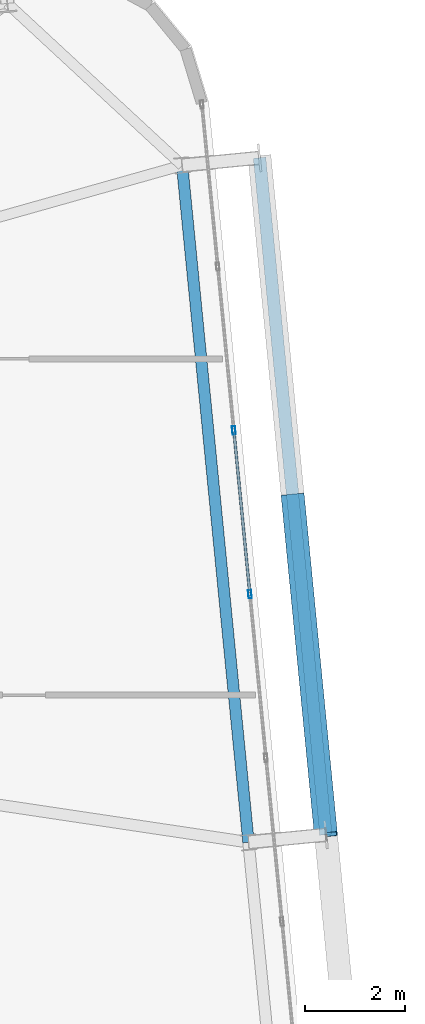
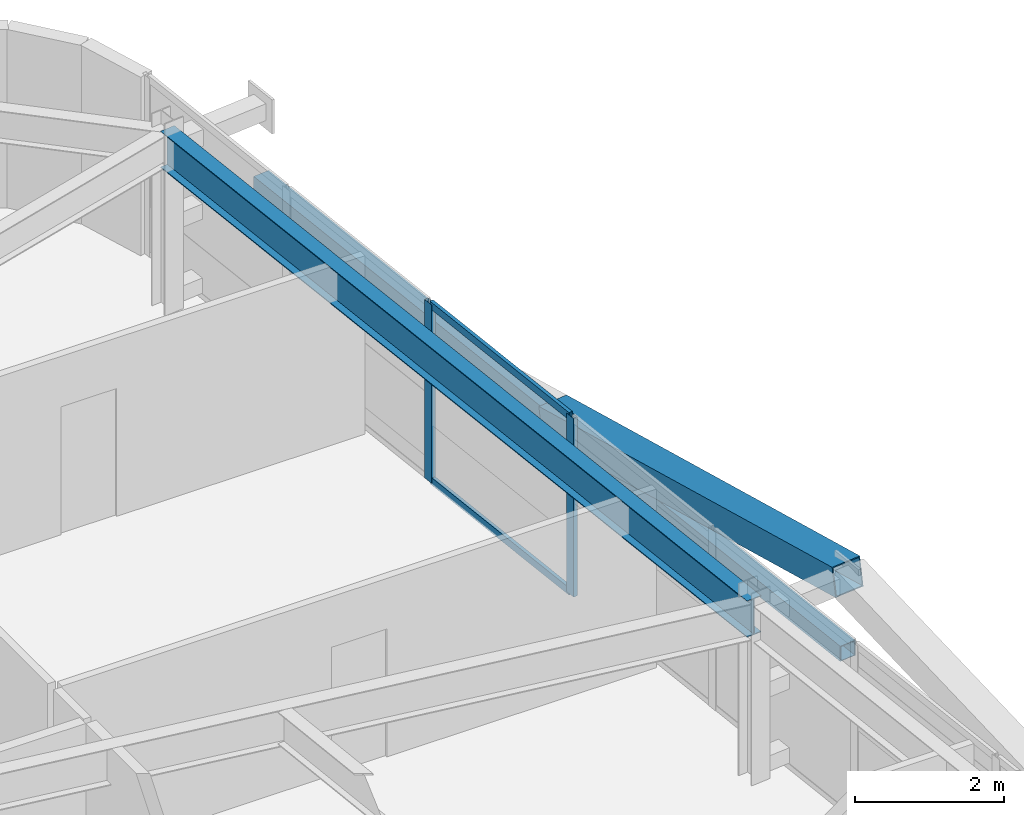
# One storey, part 26 of 52: 6 members, 1 beam, 1 element without a shape of its own.
"""IFC4 building model written with IfcOpenShell, lengths in metres."""

import ifcopenshell
import ifcopenshell.guid

model = None  # the IFC model being written
_history = None  # IfcOwnerHistory: only IFC2X3 demands one
_inside = {}  # id of a spatial element -> (the spatial element, [elements in it])
_under = {}  # id of a project, library or spatial element -> (it, [spatial elements below it])
_declared = {}  # id of a project -> (the project, [libraries it declares])
_typed = {}  # id of a type object -> (the type object, [elements of that type])
_made_of = {}  # id of a material, layer set ... -> (it, [elements and type objects made of it])


def new_model(schema):
    """Start an empty IFC model of exactly this schema.

    Asked for "IFC4X3", IfcOpenShell would pick the latest addendum, in which some entities
    have other attributes; the version numbers below select the first issue.
    IFC2X3 requires an IfcOwnerHistory on every rooted entity: one is made here for all.
    """
    global model, _history
    if schema == "IFC4X3":
        model = ifcopenshell.file(schema_version=(4, 3, 0, 0))
    else:
        model = ifcopenshell.file(schema=schema)
    _inside.clear()
    _under.clear()
    _declared.clear()
    _typed.clear()
    _made_of.clear()
    _history = None
    if model.schema == "IFC2X3":
        org = make("IfcOrganization", Name="unknown")
        user = make(
            "IfcPersonAndOrganization",
            ThePerson=make("IfcPerson", FamilyName="unknown"),
            TheOrganization=org,
        )
        app = make(
            "IfcApplication",
            ApplicationDeveloper=org,
            Version="unknown",
            ApplicationFullName="unknown",
            ApplicationIdentifier="unknown",
        )
        _history = make(
            "IfcOwnerHistory",
            OwningUser=user,
            OwningApplication=app,
            ChangeAction="ADDED",
            CreationDate=0,
        )
    return model


def make(cls, **values):
    """One entity of the class cls with the attributes given. An attribute that is None is left unset."""
    return model.create_entity(
        cls, **{name: value for name, value in values.items() if value is not None}
    )


def rooted(cls, **values):
    """An entity with a GlobalId (a new one), such as an element, a storey or a relation."""
    return make(cls, GlobalId=ifcopenshell.guid.new(), OwnerHistory=_history, **values)


def si_unit(unit_type, name, prefix=None):
    """IfcSIUnit, for example si_unit("LENGTHUNIT", "METRE", prefix="MILLI")."""
    return make("IfcSIUnit", UnitType=unit_type, Prefix=prefix, Name=name)


def assignment(units):
    """IfcUnitAssignment: the units of a project."""
    return None if units is None else make("IfcUnitAssignment", Units=units)


def point(xyz):
    """IfcCartesianPoint."""
    return None if xyz is None else make("IfcCartesianPoint", Coordinates=xyz)


def direction(xyz):
    """IfcDirection."""
    return None if xyz is None else make("IfcDirection", DirectionRatios=xyz)


def frame(location, z_axis=None, x_axis=None):
    """IfcAxis2Placement3D, a coordinate frame: its origin and axes. An axis left out is left unset."""
    return make(
        "IfcAxis2Placement3D",
        Location=point(location),
        Axis=direction(z_axis),
        RefDirection=direction(x_axis),
    )


def frame_2d(location, x_axis=None):
    """IfcAxis2Placement2D, a coordinate frame in the plane: its origin and x axis."""
    return make(
        "IfcAxis2Placement2D", Location=point(location), RefDirection=direction(x_axis)
    )


def origin():
    """The frame at (0, 0, 0) with its axes left unset."""
    return frame((0.0, 0.0, 0.0))


def origin_2d():
    """The frame at (0, 0) in the plane with its x axis left unset."""
    return frame_2d((0.0, 0.0))


def place(relative_to, where):
    """IfcLocalPlacement: puts the frame where relative to a parent placement (None: the world)."""
    return make(
        "IfcLocalPlacement", PlacementRelTo=relative_to, RelativePlacement=where
    )


def context(
    kind, dimensions, precision=None, world=None, true_north=None, identifier=None
):
    """IfcGeometricRepresentationContext, for example the 3D "Model" context."""
    return make(
        "IfcGeometricRepresentationContext",
        ContextIdentifier=identifier,
        ContextType=kind,
        CoordinateSpaceDimension=dimensions,
        Precision=precision,
        WorldCoordinateSystem=world,
        TrueNorth=true_north,
    )


def subcontext(parent, identifier, kind, view, scale=None):
    """IfcGeometricRepresentationSubContext, for example "Body" below "Model"."""
    return make(
        "IfcGeometricRepresentationSubContext",
        ContextIdentifier=identifier,
        ContextType=kind,
        ParentContext=parent,
        TargetScale=scale,
        TargetView=view,
    )


def project(units=None, contexts=None):
    """IfcProject with its units and contexts."""
    return rooted(
        "IfcProject",
        Name="project",
        RepresentationContexts=contexts,
        UnitsInContext=assignment(units),
    )


def spatial(cls, under=None, at=None, **own):
    """A site, building, storey or space (cls), placed at a placement, below another one or the project."""
    s = rooted(cls, ObjectPlacement=at, **own)
    if under is not None:
        _under.setdefault(under.id(), (under, []))[1].append(s)
    return s


def profile(cls, at=None, kind="AREA", **sizes):
    """A parametric profile (cls). Its sizes go by their IFC names, for example OverallWidth=200.0."""
    return make(cls, ProfileType=kind, Position=at, **sizes)


def hollow_rectangle(**sizes):
    """IfcRectangleHollowProfileDef."""
    return profile("IfcRectangleHollowProfileDef", **sizes)


def i_section(**sizes):
    """IfcIShapeProfileDef."""
    return profile("IfcIShapeProfileDef", **sizes)


def extrude(swept, where, along, depth):
    """IfcExtrudedAreaSolid: the profile swept, set in the frame where, extruded along a direction by depth."""
    return make(
        "IfcExtrudedAreaSolid",
        SweptArea=swept,
        Position=where,
        ExtrudedDirection=direction(along),
        Depth=depth,
    )


def shape(context_of_items, identifier, shape_type, items):
    """IfcShapeRepresentation: the items that make up one representation, for example the "Body"."""
    return make(
        "IfcShapeRepresentation",
        ContextOfItems=context_of_items,
        RepresentationIdentifier=identifier,
        RepresentationType=shape_type,
        Items=items,
    )


def source(mapping_origin, context_of_items, identifier, shape_type, items):
    """IfcRepresentationMap: a shape defined once, which mapped items show again and again."""
    return make(
        "IfcRepresentationMap",
        MappingOrigin=mapping_origin,
        MappedRepresentation=shape(context_of_items, identifier, shape_type, items),
    )


def transform(
    local_origin,
    x_axis=None,
    y_axis=None,
    z_axis=None,
    scale=None,
    scale2=None,
    scale3=None,
    uniform=True,
):
    """IfcCartesianTransformationOperator3D, or its non-uniform kind. x_axis, y_axis, z_axis: its Axis1, 2, 3."""
    if uniform:
        return make(
            "IfcCartesianTransformationOperator3D",
            Axis1=direction(x_axis),
            Axis2=direction(y_axis),
            LocalOrigin=point(local_origin),
            Scale=scale,
            Axis3=direction(z_axis),
        )
    return make(
        "IfcCartesianTransformationOperator3DnonUniform",
        Axis1=direction(x_axis),
        Axis2=direction(y_axis),
        LocalOrigin=point(local_origin),
        Scale=scale,
        Axis3=direction(z_axis),
        Scale2=scale2,
        Scale3=scale3,
    )


def mapped(mapping_source, mapping_target):
    """IfcMappedItem: shows the shape of a source again, moved by a transform."""
    return make(
        "IfcMappedItem", MappingSource=mapping_source, MappingTarget=mapping_target
    )


def material(Name=None, Category=None):
    """IfcMaterial."""
    return make("IfcMaterial", Name=Name, Category=Category)


def layer(
    of_material, thickness, ventilated=None, Name=None, Category=None, Priority=None
):
    """IfcMaterialLayer: one layer of a wall or slab, of a material (None: an air gap)."""
    return make(
        "IfcMaterialLayer",
        Material=of_material,
        LayerThickness=thickness,
        IsVentilated=ventilated,
        Name=Name,
        Category=Category,
        Priority=Priority,
    )


def layer_set(layers, Name=None):
    """IfcMaterialLayerSet."""
    return make("IfcMaterialLayerSet", MaterialLayers=layers, LayerSetName=Name)


def material_profile(
    of_material, cross_section, Name=None, Category=None, Priority=None
):
    """IfcMaterialProfile: a cross section and its material."""
    return make(
        "IfcMaterialProfile",
        Name=Name,
        Material=of_material,
        Profile=cross_section,
        Priority=Priority,
        Category=Category,
    )


def profile_set(profiles, Name=None, composite=None):
    """IfcMaterialProfileSet."""
    return make(
        "IfcMaterialProfileSet",
        Name=Name,
        MaterialProfiles=profiles,
        CompositeProfile=composite,
    )


def made_of(thing, what):
    """Note that an element or type object is made of a material, layer set ...; save() writes the relation."""
    if what is not None:
        _made_of.setdefault(what.id(), (what, []))[1].append(thing)
    return thing


def type_object(cls, material=None, **own):
    """A type object (cls), such as IfcWallType, which elements share."""
    return made_of(rooted(cls, **own), material)


def element(
    cls,
    number,
    at=None,
    inside=None,
    cuts=None,
    type_object=None,
    material=None,
    context=None,
    identifier="Body",
    shape_type=None,
    held_by="IfcProductDefinitionShape",
    body=None,
    shapes=None,
    **own,
):
    """One element of the class cls, such as IfcWall. Its Tag is "e" and its number.

    at: its placement. inside: the storey or other place that contains it. cuts: it is an
    opening in that element (IfcRelVoidsElement). A single representation is given by context,
    identifier, shape_type and body (its items); several are given by shapes. held_by: the class
    of the entity that holds the representations. save() writes the other relations.
    """
    e = rooted(cls, Tag="e%d" % number, ObjectPlacement=at, **own)
    if body is not None:
        shapes = [shape(context, identifier, shape_type, body)]
    if shapes is not None:
        e.Representation = make(held_by, Representations=shapes)
    if inside is not None:
        _inside.setdefault(inside.id(), (inside, []))[1].append(e)
    if cuts is not None:
        rooted(
            "IfcRelVoidsElement", RelatingBuildingElement=cuts, RelatedOpeningElement=e
        )
    if type_object is not None:
        _typed.setdefault(type_object.id(), (type_object, []))[1].append(e)
    return made_of(e, material)


def aggregate(whole, parts):
    """IfcRelAggregates: a whole, such as a stair, and the parts it consists of."""
    return rooted("IfcRelAggregates", RelatingObject=whole, RelatedObjects=parts)


def save(model, path):
    """Write the relations noted so far, then the file.

    IfcRelAggregates (storeys below a building ...), IfcRelContainedInSpatialStructure (elements
    in a storey), IfcRelDefinesByType, IfcRelAssociatesMaterial and IfcRelDeclares: one each for
    every whole, place, type object, material and project.
    """
    for whole, parts in _under.values():
        aggregate(whole, parts)
    for where, things in _inside.values():
        rooted(
            "IfcRelContainedInSpatialStructure",
            RelatedElements=things,
            RelatingStructure=where,
        )
    for kind, things in _typed.values():
        rooted("IfcRelDefinesByType", RelatedObjects=things, RelatingType=kind)
    for what, things in _made_of.values():
        rooted("IfcRelAssociatesMaterial", RelatedObjects=things, RelatingMaterial=what)
    for by, libraries in _declared.values():
        rooted("IfcRelDeclares", RelatingContext=by, RelatedDefinitions=libraries)
    model.write(path)


model = new_model("IFC4")

# Units and contexts
model_context = context("Model", 3, precision=1e-05, world=origin(), true_north=direction((0.0, 1.0)))
body_context = subcontext(model_context, "Body", "Model", "MODEL_VIEW")
ifc_project = project(units=[si_unit("LENGTHUNIT", "METRE"), si_unit("AREAUNIT", "SQUARE_METRE"), si_unit("VOLUMEUNIT", "CUBIC_METRE"), si_unit("PLANEANGLEUNIT", "RADIAN"), si_unit("MASSUNIT", "GRAM", prefix="KILO")], contexts=[model_context])

# Site, building, storey
site_placement = place(None, origin())
site = spatial("IfcSite", under=ifc_project, at=site_placement, CompositionType="ELEMENT")
building_placement = place(site_placement, origin())
building = spatial("IfcBuilding", under=site, at=building_placement, Name="Taldren Reach Tower", CompositionType="ELEMENT")
storey_placement = place(building_placement, frame((0.0, 0.0, 93.449951171875)))
storey = spatial("IfcBuildingStorey", under=building, at=storey_placement, Name="L28", CompositionType="ELEMENT", Elevation=93.449951171875)

# Beam
ifc_material_1 = material(Name="Steel Gr 350 (350PLUS)", Category="steel")
ifc_material_profile_1 = material_profile(ifc_material_1, i_section(OverallWidth=0.22802734375, OverallDepth=0.60205078125, WebThickness=0.010498046875, FlangeThickness=0.014892578125, at=origin_2d()), Name="610UB101")
ifc_profile_set_1 = profile_set([ifc_material_profile_1], Name="Steel Gr 350 (350PLUS)")
beam_type = type_object("IfcBeamType", Name="BM-UB610B", PredefinedType="BEAM", material=ifc_profile_set_1)
shared_shape_1 = source(origin(), body_context, "Body", "SweptSolid", [
    extrude(i_section(OverallWidth=0.22802734375, OverallDepth=0.60205078125, WebThickness=0.010498046875, FlangeThickness=0.014892578125, at=origin_2d()), origin(), (0.0, 0.0, 1.0), 13.550048828125),
])
beam_placement = place(storey_placement, frame((64.569580078125, 21.968994140625, 2.629150390625), z_axis=(-0.097584021339, 0.995227290009, 0.0), x_axis=(-0.995227290009, -0.097584021339, 0.0)))
element("IfcBeam", 1, at=beam_placement, inside=storey, type_object=beam_type, Name="Perimeter gable girder B2 E2-E3 L28", PredefinedType="BEAM", context=body_context, shape_type="MappedRepresentation", body=[
    mapped(shared_shape_1, transform((0.0, 0.0, 0.0), scale=1.0)),
])

# Members
ifc_material_2 = material(Name="Steel Gr 450 (C450L0)", Category="steel")
ifc_material_profile_2 = material_profile(ifc_material_2, hollow_rectangle(XDim=0.4599609375, YDim=0.4599609375, WallThickness=0.01611328125, at=origin_2d()), Name="460x460x16.0SHS")
ifc_profile_set_2 = profile_set([ifc_material_profile_2], Name="Steel Gr 450 (C450L0)")
member_type_1 = type_object("IfcMemberType", Name="MB-EXO457", PredefinedType="BRACE", material=ifc_profile_set_2)
shared_shape_2 = source(origin(), body_context, "Body", "SweptSolid", [
    extrude(hollow_rectangle(XDim=0.4599609375, YDim=0.4599609375, WallThickness=0.01611328125, at=origin_2d()), origin(), (0.0, 0.0, 1.0), 6.883056640625),
])
member_1_placement = place(storey_placement, frame((65.450927734375, 28.86279296875, 1.43505859375), z_axis=(0.09605145821, -0.97959718347, 0.176531797456), x_axis=(0.995227290009, 0.097584021339, 0.0)))
element("IfcMember", 2, at=member_1_placement, inside=storey, type_object=member_type_1, Name="Exoskeleton Diagrid Brace B2-E2 L28", PredefinedType="BRACE", context=body_context, shape_type="MappedRepresentation", body=[
    mapped(shared_shape_2, transform((0.0, 0.0, 0.0), scale=1.0)),
])
ifc_material_3 = material(Name="Steel Gr 350 (C350L0)", Category="steel")
ifc_material_profile_3 = material_profile(ifc_material_3, hollow_rectangle(XDim=0.25, YDim=0.25, WallThickness=0.010009765625, at=origin_2d()), Name="250x250x10.0SHS")
ifc_profile_set_3 = profile_set([ifc_material_profile_3], Name="Steel Gr 350 (C350L0)")
member_type_2 = type_object("IfcMemberType", Name="MB-POST250", PredefinedType="POST", material=ifc_profile_set_3)
shared_shape_3 = source(origin(), body_context, "Body", "SweptSolid", [
    extrude(hollow_rectangle(XDim=0.25, YDim=0.25, WallThickness=0.010009765625, at=origin_2d()), origin(), (0.0, 0.0, 1.0), 13.550048828125),
])
member_2_placement = place(storey_placement, frame((66.112060546875, 22.1201171875, 1.43505859375), z_axis=(-0.097584021339, 0.995227290009, 0.0), x_axis=(-0.995227290009, -0.097584021339, 0.0)))
element("IfcMember", 3, at=member_2_placement, inside=storey, type_object=member_type_2, Name="Exoskeleton mid-height ring chord B2-E2 L28", PredefinedType="POST", context=body_context, shape_type="MappedRepresentation", body=[
    mapped(shared_shape_3, transform((0.0, 0.0, 0.0), scale=1.0)),
])

# Curtain wall, members
ifc_material_4 = material(Name="Aluminium and Low-E Glass Unitised System", Category="aluminium")
ifc_layer = layer(ifc_material_4, 0.159912109375)
ifc_layer_set = layer_set([ifc_layer], Name="Aluminium and Low-E Glass Unitised System")
curtain_wall_type = type_object("IfcCurtainWallType", Name="CW-SYS-3", PredefinedType="NOTDEFINED", material=ifc_layer_set)
curtain_wall_placement = place(storey_placement, origin())
curtain_wall = element("IfcCurtainWall", 4, at=curtain_wall_placement, inside=storey, type_object=curtain_wall_type, Name="Unitised curtain wall CW-L28-E", PredefinedType="NOTDEFINED")
ifc_material_5 = material(Name="Anodised Aluminium 6063-T6", Category="aluminium")
ifc_material_profile_4 = material_profile(ifc_material_5, hollow_rectangle(XDim=0.06494140625, YDim=0.1650390625, WallThickness=0.00390625, at=origin_2d()), Name="ALU-165x65x4RHS")
ifc_profile_set_4 = profile_set([ifc_material_profile_4], Name="Anodised Aluminium 6063-T6")
member_type_3 = type_object("IfcMemberType", Name="CW-MUL-165", PredefinedType="MULLION", material=ifc_profile_set_4)
shared_shape_4 = source(origin(), body_context, "Body", "SweptSolid", [
    extrude(hollow_rectangle(XDim=0.06494140625, YDim=0.1650390625, WallThickness=0.00390625, at=origin_2d()), origin(), (0.0, 0.0, 1.0), 2.929931640625),
])
member_3_placement = place(storey_placement, frame((64.59716796875, 26.911865234375, 0.0), z_axis=(0.0, 0.0, 1.0), x_axis=(-0.99522741555, -0.09758274098, 0.0)))
member_3 = element("IfcMember", 5, at=member_3_placement, type_object=member_type_3, Name="CW-3 mullion 7", PredefinedType="MULLION", context=body_context, shape_type="MappedRepresentation", body=[
    mapped(shared_shape_4, transform((0.0, 0.0, 0.0), scale=1.0)),
])
member_4_placement = place(storey_placement, frame((64.27734375, 30.174072265625, 0.0), z_axis=(0.0, 0.0, 1.0), x_axis=(-0.99522741555, -0.09758274098, 0.0)))
member_4 = element("IfcMember", 6, at=member_4_placement, type_object=member_type_3, Name="CW-3 mullion 8", PredefinedType="MULLION", context=body_context, shape_type="MappedRepresentation", body=[
    mapped(shared_shape_4, transform((0.0, 0.0, 0.0), scale=1.0)),
])
ifc_material_profile_5 = material_profile(ifc_material_5, hollow_rectangle(XDim=0.054931640625, YDim=0.1201171875, WallThickness=0.0029296875, at=origin_2d()), Name="ALU-120x55x3RHS")
ifc_profile_set_5 = profile_set([ifc_material_profile_5], Name="Anodised Aluminium 6063-T6")
member_type_4 = type_object("IfcMemberType", Name="CW-TRN-135", PredefinedType="USERDEFINED", material=ifc_profile_set_5)
shared_shape_5 = source(origin(), body_context, "Body", "SweptSolid", [
    extrude(hollow_rectangle(XDim=0.054931640625, YDim=0.1201171875, WallThickness=0.0029296875, at=origin_2d()), origin(), (0.0, 0.0, 1.0), 3.212890625),
])
member_5_placement = place(storey_placement, frame((64.593994140625, 26.944091796875, 0.027587890625), z_axis=(-0.097569948235, 0.995228669805, 0.0), x_axis=(-0.995228669805, -0.097569948235, 0.0)))
member_5 = element("IfcMember", 7, at=member_5_placement, type_object=member_type_4, Name="CW-3 transom 7.1", ObjectType="TRANSOM", PredefinedType="USERDEFINED", context=body_context, shape_type="MappedRepresentation", body=[
    mapped(shared_shape_5, transform((0.0, 0.0, 0.0), scale=1.0)),
])
member_6_placement = place(storey_placement, frame((64.593994140625, 26.944091796875, 2.902587890625), z_axis=(-0.097569948235, 0.995228669805, 0.0), x_axis=(-0.995228669805, -0.097569948235, 0.0)))
member_6 = element("IfcMember", 8, at=member_6_placement, type_object=member_type_4, Name="CW-3 transom 7.2", ObjectType="TRANSOM", PredefinedType="USERDEFINED", context=body_context, shape_type="MappedRepresentation", body=[
    mapped(shared_shape_5, transform((0.0, 0.0, 0.0), scale=1.0)),
])
aggregate(curtain_wall, [member_3, member_4, member_5, member_6])

save(model, "model.ifc")
